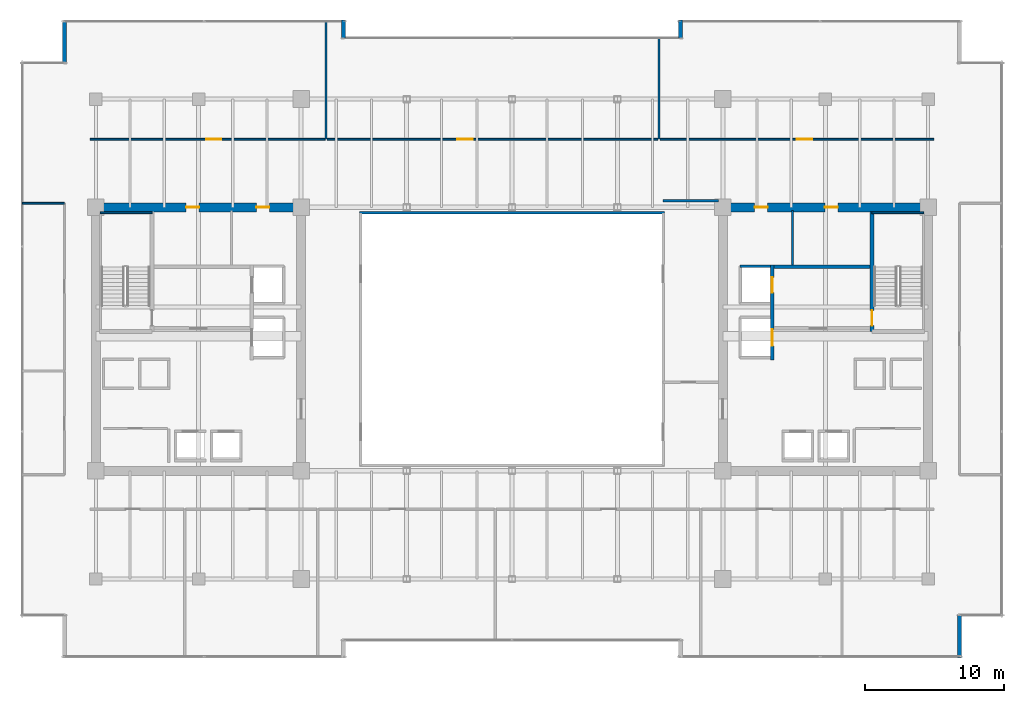
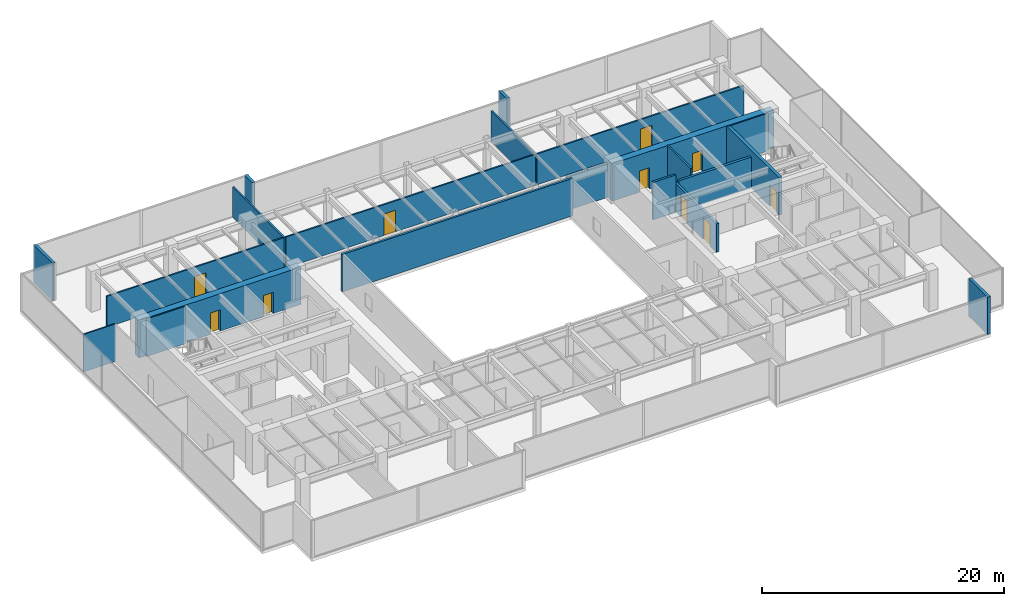
# One storey, part 27 of 30: 21 walls, 10 doors, 10 openings.
"""IFC4 building model written with IfcOpenShell, lengths in metres."""

from ifc_helpers import new_model, si_unit, direction, frame, frame_2d, origin, place, context, subcontext, project, spatial, rectangle, extrude, source, transform, mapped, material, layer, layer_set, type_object, type_shapes, element, fill, save


model = new_model("IFC4")

# Units and contexts
model_context = context("Model", 3, precision=1e-05, world=origin(), true_north=direction((0.0, 1.0)))
body_context = subcontext(model_context, "Body", "Model", "MODEL_VIEW")
ifc_project = project(units=[si_unit("LENGTHUNIT", "METRE"), si_unit("AREAUNIT", "SQUARE_METRE"), si_unit("VOLUMEUNIT", "CUBIC_METRE"), si_unit("PLANEANGLEUNIT", "RADIAN"), si_unit("MASSUNIT", "GRAM", prefix="KILO")], contexts=[model_context])

# Site, building, storey
site_placement = place(None, origin())
site = spatial("IfcSite", under=ifc_project, at=site_placement, CompositionType="ELEMENT")
building_placement = place(site_placement, origin())
building = spatial("IfcBuilding", under=site, at=building_placement, Name="Haelvirn Gate Laboratories", CompositionType="ELEMENT")
storey_placement = place(building_placement, frame((0.0, 0.0, 129.699951171875)))
storey = spatial("IfcBuildingStorey", under=building, at=storey_placement, Name="L31", CompositionType="ELEMENT", Elevation=129.699951171875)

# Walls
ifc_material_1 = material(Name="Thermally-broken bronze aluminium rainscreen & mineral wool", Category="aluminium")
ifc_layer_1 = layer(ifc_material_1, 0.280029296875, Name="EW-TERR-280")
ifc_layer_set_1 = layer_set([ifc_layer_1], Name="Thermally-broken bronze aluminium rainscreen & mineral wool")
wall_type_1 = type_object("IfcWallType", Name="EW-TERR-280", PredefinedType="STANDARD", material=ifc_layer_set_1)
wall_1_placement = place(storey_placement, frame((69.659912109375, 1.300048828125, 0.0), z_axis=(0.0, 0.0, 1.0), x_axis=(0.0, 1.0, 0.0)))
element("IfcWall", 1, at=wall_1_placement, inside=storey, type_object=wall_type_1, Name="L31 Atrium Recess Bronze Return Wall 05", PredefinedType="STANDARD", context=body_context, shape_type="SweptSolid", body=[
    extrude(rectangle(XDim=3.087890625, YDim=0.280029296875, at=frame_2d((1.5439453125, 0.0))), origin(), (0.0, 0.0, 1.0), 3.7900390625),
])
for number, where, z_axis, x_axis, name in (
    (2, (49.5400390625, 47.300048828125, 0.0), (0.0, 0.0, 1.0), (0.0, -1.0, 0.0), "L31 Atrium Recess Bronze Return Wall 11"),
    (3, (25.260009765625, 46.011962890625, 0.0), (0.0, 0.0, 1.0), (0.0, 1.0, 0.0), "L31 Atrium Recess Bronze Return Wall 13"),
):
    element("IfcWall", number, at=place(storey_placement, frame(where, z_axis=z_axis, x_axis=x_axis)), inside=storey, type_object=wall_type_1, Name=name, PredefinedType="STANDARD", context=body_context, shape_type="SweptSolid", body=[
        extrude(rectangle(XDim=1.2880859375, YDim=0.280029296875, at=frame_2d((0.64404296875, 0.0))), origin(), (0.0, 0.0, 1.0), 3.7900390625),
    ])
wall_2_placement = place(storey_placement, frame((5.139892578125, 47.300048828125, 0.0), z_axis=(0.0, 0.0, 1.0), x_axis=(0.0, -1.0, 0.0)))
element("IfcWall", 4, at=wall_2_placement, inside=storey, type_object=wall_type_1, Name="L31 Atrium Recess Bronze Return Wall 15", PredefinedType="STANDARD", context=body_context, shape_type="SweptSolid", body=[
    extrude(rectangle(XDim=3.088134765625, YDim=0.280029296875, at=frame_2d((1.5439453125, 0.0))), origin(), (0.0, 0.0, 1.0), 3.7900390625),
])
ifc_material_2 = material(Name="Double-layer acoustic gypsum laboratory partition", Category="gypsum")
ifc_layer_2 = layer(ifc_material_2, 0.159912109375, Name="IW-ACOUST-160")
ifc_layer_set_2 = layer_set([ifc_layer_2], Name="Double-layer acoustic gypsum laboratory partition")
wall_type_2 = type_object("IfcWallType", Name="IW-ACOUST-160", PredefinedType="PARTITIONING", material=ifc_layer_set_2)
wall_3_placement = place(storey_placement, frame((24.0, 38.705078125, 0.0), z_axis=(0.0, 0.0, 1.0), x_axis=(0.0, 1.0, 0.0)))
element("IfcWall", 5, at=wall_3_placement, inside=storey, type_object=wall_type_2, Name="L31 Interior Wall IW-L31-NDIV-01", PredefinedType="PARTITIONING", context=body_context, shape_type="SweptSolid", body=[
    extrude(rectangle(XDim=8.48486328125, YDim=0.159912109375, at=frame_2d((4.242431640625, 0.0))), origin(), (0.0, 0.0, 1.0), 3.074951171875),
])
wall_4_placement = place(storey_placement, frame((48.0, 38.705078125, 0.0), z_axis=(0.0, 0.0, 1.0), x_axis=(0.0, 1.0, 0.0)))
element("IfcWall", 6, at=wall_4_placement, inside=storey, type_object=wall_type_2, Name="L31 Interior Wall IW-L31-NDIV-02", PredefinedType="PARTITIONING", context=body_context, shape_type="SweptSolid", body=[
    extrude(rectangle(XDim=7.284912109375, YDim=0.159912109375, at=frame_2d((3.642578125, 0.0))), origin(), (0.0, 0.0, 1.0), 3.074951171875),
])
ifc_material_3 = material(Name="Fire-rated acoustic gypsum board partition", Category="gypsum")
ifc_layer_3 = layer(ifc_material_3, 0.175048828125, Name="IW-ACOUST-180")
ifc_layer_set_3 = layer_set([ifc_layer_3], Name="Fire-rated acoustic gypsum board partition")
wall_type_3 = type_object("IfcWallType", Name="IW-ACOUST-180", PredefinedType="PARTITIONING", material=ifc_layer_set_3)
wall_5_placement = place(storey_placement, frame((48.300048828125, 34.260009765625, 0.0), z_axis=(0.0, 0.0, 1.0), x_axis=(1.0, 0.0, 0.0)))
element("IfcWall", 7, at=wall_5_placement, inside=storey, type_object=wall_type_3, Name="L31 Interior Wall IW-L31-ASEM-N", PredefinedType="PARTITIONING", context=body_context, shape_type="SweptSolid", body=[
    extrude(rectangle(XDim=3.974853515625, YDim=0.175048828125, at=frame_2d((1.9873046875, 0.0))), origin(), (0.0, 0.0, 1.0), 3.47509765625),
])
ifc_material_4 = material(Name="Tempered fire-rated borosilicate glass & anodised aluminium", Category="aluminium")
ifc_layer_4 = layer(ifc_material_4, 0.195068359375, Name="IW-GLAZ-200")
ifc_layer_set_4 = layer_set([ifc_layer_4], Name="Tempered fire-rated borosilicate glass & anodised aluminium")
wall_type_4 = type_object("IfcWallType", Name="IW-GLAZ-200", PredefinedType="SOLIDWALL", material=ifc_layer_set_4)
wall_6_placement = place(storey_placement, frame((26.39990234375, 33.39990234375, 0.0), z_axis=(0.0, 0.0, 1.0), x_axis=(1.0, 0.0, 0.0)))
element("IfcWall", 8, at=wall_6_placement, inside=storey, type_object=wall_type_4, Name="L31 Interior Wall IW-L31-ATRIUM-N", PredefinedType="SOLIDWALL", context=body_context, shape_type="SweptSolid", body=[
    extrude(rectangle(XDim=22.0, YDim=0.195068359375, at=frame_2d((11.0, 0.0))), origin(), (0.0, 0.0, 1.0), 3.7900390625),
])
ifc_material_5 = material(Name="Lightweight acoustic gypsum board partition", Category="gypsum")
ifc_layer_5 = layer(ifc_material_5, 0.1201171875, Name="IW-PART-120")
ifc_layer_set_5 = layer_set([ifc_layer_5], Name="Lightweight acoustic gypsum board partition")
wall_type_5 = type_object("IfcWallType", Name="IW-PART-120", PredefinedType="PARTITIONING", material=ifc_layer_set_5)
wall_7_placement = place(storey_placement, frame((2.110107421875, 34.0849609375, 0.0), z_axis=(0.0, 0.0, 1.0), x_axis=(1.0, 0.0, 0.0)))
element("IfcWall", 9, at=wall_7_placement, inside=storey, type_object=wall_type_5, Name="L31 Interior Wall IW-L31-WCAP-N", PredefinedType="PARTITIONING", context=body_context, shape_type="SweptSolid", body=[
    extrude(rectangle(XDim=3.019775390625, YDim=0.1201171875, at=frame_2d((1.509765625, 0.0))), origin(), (0.0, 0.0, 1.0), 3.7900390625),
])

# Wall, opening, door
ifc_material_6 = material(Name="Acoustic mineral-wool gypsum board partition", Category="gypsum")
ifc_layer_6 = layer(ifc_material_6, 0.139892578125, Name="IW-PART-140")
ifc_layer_set_6 = layer_set([ifc_layer_6], Name="Acoustic mineral-wool gypsum board partition")
wall_type_6 = type_object("IfcWallType", Name="IW-PART-140", PredefinedType="PARTITIONING", material=ifc_layer_set_6)
wall_8_placement = place(storey_placement, frame((6.97998046875, 38.705078125, 0.0), z_axis=(0.0, 0.0, 1.0), x_axis=(1.0, 0.0, 0.0)))
wall_8 = element("IfcWall", 10, at=wall_8_placement, inside=storey, type_object=wall_type_6, Name="L31 Interior Wall IW-L31-NCORR-01", PredefinedType="PARTITIONING", context=body_context, shape_type="SweptSolid", body=[
    extrude(rectangle(XDim=16.93994140625, YDim=0.139892578125, at=frame_2d((8.469970703125, 0.0))), origin(), (0.0, 0.0, 1.0), 3.125),
])
opening_1_placement = place(wall_8_placement, frame((8.374267578125, 0.0, 0.0)))
opening_1 = element("IfcOpeningElement", 11, at=opening_1_placement, cuts=wall_8, Name="Opening D1", PredefinedType="OPENING", context=body_context, shape_type="SweptSolid", body=[
    extrude(rectangle(XDim=1.10009765625, YDim=2.179931640625, at=frame_2d((0.550048828125, 1.08984375))), frame((0.0, 0.080078125, 0.0), z_axis=(0.0, -1.0, 0.0), x_axis=(1.0, 0.0, 0.0)), (0.0, 0.0, 1.0), 0.159912109375),
])
ifc_material_7 = material(Name="Vision-panel acoustic solid-core timber lab door", Category="wood")
door_type_1 = type_object("IfcDoorType", Name="DR-LAB-1100", OperationType="NOTDEFINED", PredefinedType="DOOR", material=ifc_material_7)
shared_shape_1 = source(origin(), body_context, "Body", "SweptSolid", [
    extrude(rectangle(XDim=1.10009765625, YDim=2.179931640625, at=frame_2d((0.550048828125, 1.08984375))), frame((0.0, 0.02490234375, 0.0), z_axis=(0.0, -1.0, 0.0), x_axis=(1.0, 0.0, 0.0)), (0.0, 0.0, 1.0), 0.050048828125),
])
type_shapes(door_type_1, [shared_shape_1])
door_1_placement = place(opening_1_placement, origin())
door_1 = element("IfcDoor", 12, at=door_1_placement, inside=storey, type_object=door_type_1, Name="L31 Translational Data Office Door N1", OperationType="SINGLE_SWING_LEFT", OverallHeight=2.179931640625, OverallWidth=1.10009765625, PredefinedType="DOOR", context=body_context, shape_type="MappedRepresentation", body=[
    mapped(shared_shape_1, transform((0.0, 0.0, 0.0), scale=1.0)),
])
fill(opening_1, door_1)

wall_9_placement = place(storey_placement, frame((24.080078125, 38.705078125, 0.0), z_axis=(0.0, 0.0, 1.0), x_axis=(1.0, 0.0, 0.0)))
wall_9 = element("IfcWall", 13, at=wall_9_placement, inside=storey, type_object=wall_type_6, Name="L31 Interior Wall IW-L31-NCORR-02", PredefinedType="PARTITIONING", context=body_context, shape_type="SweptSolid", body=[
    extrude(rectangle(XDim=23.83984375, YDim=0.139892578125, at=frame_2d((11.919921875, 0.0))), origin(), (0.0, 0.0, 1.0), 3.125),
])
opening_2_placement = place(wall_9_placement, frame((9.386474609375, 0.0, 0.0)))
opening_2 = element("IfcOpeningElement", 14, at=opening_2_placement, cuts=wall_9, Name="Opening D1", PredefinedType="OPENING", context=body_context, shape_type="SweptSolid", body=[
    extrude(rectangle(XDim=1.10009765625, YDim=2.179931640625, at=frame_2d((0.550048828125, 1.08984375))), frame((0.0, 0.080078125, 0.0), z_axis=(0.0, -1.0, 0.0), x_axis=(1.0, 0.0, 0.0)), (0.0, 0.0, 1.0), 0.159912109375),
])
door_2_placement = place(opening_2_placement, origin())
door_2 = element("IfcDoor", 15, at=door_2_placement, inside=storey, type_object=door_type_1, Name="L31 Computational Write-Up Office Door N2", OperationType="SINGLE_SWING_RIGHT", OverallHeight=2.179931640625, OverallWidth=1.10009765625, PredefinedType="DOOR", context=body_context, shape_type="MappedRepresentation", body=[
    mapped(shared_shape_1, transform((0.0, 0.0, 0.0), scale=1.0)),
])
fill(opening_2, door_2)

wall_10_placement = place(storey_placement, frame((48.080078125, 38.705078125, 0.0), z_axis=(0.0, 0.0, 1.0), x_axis=(1.0, 0.0, 0.0)))
wall_10 = element("IfcWall", 16, at=wall_10_placement, inside=storey, type_object=wall_type_6, Name="L31 Interior Wall IW-L31-NCORR-03", PredefinedType="PARTITIONING", context=body_context, shape_type="SweptSolid", body=[
    extrude(rectangle(XDim=19.739990234375, YDim=0.139892578125, at=frame_2d((9.8701171875, 0.0))), origin(), (0.0, 0.0, 1.0), 3.125),
])
opening_3_placement = place(wall_10_placement, frame((9.858154296875, 0.0, 0.0)))
opening_3 = element("IfcOpeningElement", 17, at=opening_3_placement, cuts=wall_10, Name="Opening D1", PredefinedType="OPENING", context=body_context, shape_type="SweptSolid", body=[
    extrude(rectangle(XDim=1.10009765625, YDim=2.179931640625, at=frame_2d((0.550048828125, 1.08984375))), frame((0.0, 0.080078125, 0.0), z_axis=(0.0, -1.0, 0.0), x_axis=(1.0, 0.0, 0.0)), (0.0, 0.0, 1.0), 0.159912109375),
])
door_3_placement = place(opening_3_placement, origin())
door_3 = element("IfcDoor", 18, at=door_3_placement, inside=storey, type_object=door_type_1, Name="L31 Researcher Break Pantry Door N3", OperationType="SINGLE_SWING_LEFT", OverallHeight=2.179931640625, OverallWidth=1.10009765625, PredefinedType="DOOR", context=body_context, shape_type="MappedRepresentation", body=[
    mapped(shared_shape_1, transform((0.0, 0.0, 0.0), scale=1.0)),
])
fill(opening_3, door_3)

# Walls
ifc_material_8 = material(Name="Cement-board restroom plumbing chase wall", Category="gypsum")
ifc_layer_7 = layer(ifc_material_8, 0.155029296875, Name="IW-PLUMB-160")
ifc_layer_set_7 = layer_set([ifc_layer_7], Name="Cement-board restroom plumbing chase wall")
wall_type_7 = type_object("IfcWallType", Name="IW-PLUMB-160", PredefinedType="PLUMBINGWALL", material=ifc_layer_set_7)
wall_11_placement = place(storey_placement, frame((57.610107421875, 29.64990234375, 0.0), z_axis=(0.0, 0.0, 1.0), x_axis=(0.0, 1.0, 0.0)))
element("IfcWall", 19, at=wall_11_placement, inside=storey, type_object=wall_type_7, Name="L31 Interior Wall IW-L31-E-CDIV-1", PredefinedType="PLUMBINGWALL", context=body_context, shape_type="SweptSolid", body=[
    extrude(rectangle(XDim=3.93017578125, YDim=0.155029296875, at=frame_2d((1.965087890625, 0.0))), origin(), (0.0, 0.0, 1.0), 3.7900390625),
])
ifc_material_9 = material(Name="Concrete C40/50", Category="concrete")
ifc_layer_8 = layer(ifc_material_9, 0.199951171875, Name="IW-SHAFT-200")
ifc_layer_set_8 = layer_set([ifc_layer_8], Name="Concrete C40/50")
wall_type_8 = type_object("IfcWallType", Name="IW-SHAFT-200", PredefinedType="SOLIDWALL", material=ifc_layer_set_8)
wall_12_placement = place(storey_placement, frame((53.85009765625, 29.550048828125, 0.0), z_axis=(0.0, 0.0, 1.0), x_axis=(1.0, 0.0, 0.0)))
element("IfcWall", 20, at=wall_12_placement, inside=storey, type_object=wall_type_8, Name="L31 Interior Wall IW-L31-FL2-N", PredefinedType="SOLIDWALL", context=body_context, shape_type="SweptSolid", body=[
    extrude(rectangle(XDim=2.18994140625, YDim=0.199951171875, at=frame_2d((1.094970703125, 0.0))), origin(), (0.0, 0.0, 1.0), 3.7900390625),
])
ifc_layer_9 = layer(ifc_material_9, 0.239990234375, Name="IW-SHAFT-240")
ifc_layer_set_9 = layer_set([ifc_layer_9], Name="Concrete C40/50")
wall_type_9 = type_object("IfcWallType", Name="IW-SHAFT-240", PredefinedType="SOLIDWALL", material=ifc_layer_set_9)
wall_13_placement = place(storey_placement, frame((56.280029296875, 29.52001953125, 0.0), z_axis=(0.0, 0.0, 1.0), x_axis=(1.0, 0.0, 0.0)))
element("IfcWall", 21, at=wall_13_placement, inside=storey, type_object=wall_type_9, Name="L31 Interior Wall IW-L31-E-FF-N", PredefinedType="SOLIDWALL", context=body_context, shape_type="SweptSolid", body=[
    extrude(rectangle(XDim=6.919921875, YDim=0.239990234375, at=frame_2d((3.4599609375, 0.0))), origin(), (0.0, 0.0, 1.0), 3.125),
])

# Wall, openings, doors
wall_14_placement = place(storey_placement, frame((56.159912109375, 22.800048828125, 0.0), z_axis=(0.0, 0.0, 1.0), x_axis=(0.0, 1.0, 0.0)))
wall_14 = element("IfcWall", 22, at=wall_14_placement, inside=storey, type_object=wall_type_9, Name="L31 Interior Wall IW-L31-E-FF-E", PredefinedType="SOLIDWALL", context=body_context, shape_type="SweptSolid", body=[
    extrude(rectangle(XDim=6.849853515625, YDim=0.239990234375, at=frame_2d((3.4248046875, 0.0))), origin(), (0.0, 0.0, 1.0), 2.875),
])
opening_4_placement = place(wall_14_placement, frame((4.85009765625, 0.0, 0.0)))
opening_4 = element("IfcOpeningElement", 23, at=opening_4_placement, cuts=wall_14, Name="Opening LD2", PredefinedType="OPENING", context=body_context, shape_type="SweptSolid", body=[
    extrude(rectangle(XDim=1.10009765625, YDim=2.219970703125, at=frame_2d((0.550048828125, 1.10986328125))), frame((0.0, 0.1298828125, 0.0), z_axis=(0.0, -1.0, 0.0), x_axis=(1.0, 0.0, 0.0)), (0.0, 0.0, 1.0), 0.260009765625),
])
opening_5_placement = place(wall_14_placement, frame((1.0, 0.0, 0.0)))
opening_5 = element("IfcOpeningElement", 24, at=opening_5_placement, cuts=wall_14, Name="Opening LD1", PredefinedType="OPENING", context=body_context, shape_type="SweptSolid", body=[
    extrude(rectangle(XDim=1.199951171875, YDim=2.219970703125, at=frame_2d((0.60009765625, 1.10986328125))), frame((0.0, 0.1298828125, 0.0), z_axis=(0.0, -1.0, 0.0), x_axis=(1.0, 0.0, 0.0)), (0.0, 0.0, 1.0), 0.260009765625),
])
ifc_material_10 = material(Name="Bronze stainless 316L sliding lift landing door")
door_type_2 = type_object("IfcDoorType", Name="DR-LD-1100", OperationType="NOTDEFINED", PredefinedType="USERDEFINED", material=ifc_material_10)
shared_shape_2 = source(origin(), body_context, "Body", "SweptSolid", [
    extrude(rectangle(XDim=1.10009765625, YDim=2.219970703125, at=frame_2d((0.550048828125, 1.10986328125))), frame((0.0, 0.02490234375, 0.0), z_axis=(0.0, -1.0, 0.0), x_axis=(1.0, 0.0, 0.0)), (0.0, 0.0, 1.0), 0.050048828125),
])
type_shapes(door_type_2, [shared_shape_2])
door_4_placement = place(opening_4_placement, origin())
door_4 = element("IfcDoor", 25, at=door_4_placement, inside=storey, type_object=door_type_2, Name="L31 Firefighting Lift FL2 Landing Door", ObjectType="LANDING_DOOR", OperationType="SLIDING_TO_RIGHT", OverallHeight=2.219970703125, OverallWidth=1.10009765625, PredefinedType="USERDEFINED", context=body_context, shape_type="MappedRepresentation", body=[
    mapped(shared_shape_2, transform((0.0, 0.0, 0.0), scale=1.0)),
])
fill(opening_4, door_4)
ifc_material_11 = material(Name="Stainless steel 316L sliding goods landing door", Category="steel")
door_type_3 = type_object("IfcDoorType", Name="DR-LD-1200", OperationType="NOTDEFINED", PredefinedType="USERDEFINED", material=ifc_material_11)
shared_shape_3 = source(origin(), body_context, "Body", "SweptSolid", [
    extrude(rectangle(XDim=1.199951171875, YDim=2.219970703125, at=frame_2d((0.60009765625, 1.10986328125))), frame((0.0, 0.02490234375, 0.0), z_axis=(0.0, -1.0, 0.0), x_axis=(1.0, 0.0, 0.0)), (0.0, 0.0, 1.0), 0.050048828125),
])
type_shapes(door_type_3, [shared_shape_3])
door_5_placement = place(opening_5_placement, origin())
door_5 = element("IfcDoor", 26, at=door_5_placement, inside=storey, type_object=door_type_3, Name="L31 Service Lift SL2 Landing Door", ObjectType="LANDING_DOOR", OperationType="SLIDING_TO_LEFT", OverallHeight=2.219970703125, OverallWidth=1.199951171875, PredefinedType="USERDEFINED", context=body_context, shape_type="MappedRepresentation", body=[
    mapped(shared_shape_3, transform((0.0, 0.0, 0.0), scale=1.0)),
])
fill(opening_5, door_5)

ifc_material_12 = material(Name="Concrete C60/75", Category="concrete")
ifc_layer_10 = layer(ifc_material_12, 0.64990234375, Name="SW-CORE-650")
ifc_layer_set_10 = layer_set([ifc_layer_10], Name="Concrete C60/75")
wall_type_10 = type_object("IfcWallType", Name="SW-CORE-650", PredefinedType="SHEAR", material=ifc_layer_set_10)
wall_15_placement = place(storey_placement, frame((7.074951171875, 33.800048828125, 0.0), z_axis=(0.0, 0.0, 1.0), x_axis=(1.0, 0.0, 0.0)))
wall_15 = element("IfcWall", 27, at=wall_15_placement, inside=storey, type_object=wall_type_10, Name="L31 W Core Shear Wall N", PredefinedType="SHEAR", context=body_context, shape_type="SweptSolid", body=[
    extrude(rectangle(XDim=15.449951171875, YDim=0.64990234375, at=frame_2d((7.72509765625, 0.0))), origin(), (0.0, 0.0, 1.0), 3.7900390625),
])
opening_6_placement = place(wall_15_placement, frame((6.824951171875, 0.0, 0.0)))
opening_6 = element("IfcOpeningElement", 28, at=opening_6_placement, cuts=wall_15, Name="Opening FD4", PredefinedType="OPENING", context=body_context, shape_type="SweptSolid", body=[
    extrude(rectangle(XDim=0.949951171875, YDim=2.14990234375, at=frame_2d((0.47509765625, 1.074951171875))), frame((0.0, 0.3349609375, 0.0), z_axis=(0.0, -1.0, 0.0), x_axis=(1.0, 0.0, 0.0)), (0.0, 0.0, 1.0), 0.669921875),
])
opening_7_placement = place(wall_15_placement, frame((11.889892578125, 0.0, 0.0)))
opening_7 = element("IfcOpeningElement", 29, at=opening_7_placement, cuts=wall_15, Name="Opening FD4", PredefinedType="OPENING", context=body_context, shape_type="SweptSolid", body=[
    extrude(rectangle(XDim=0.949951171875, YDim=2.14990234375, at=frame_2d((0.47509765625, 1.074951171875))), frame((0.0, 0.3349609375, 0.0), z_axis=(0.0, -1.0, 0.0), x_axis=(1.0, 0.0, 0.0)), (0.0, 0.0, 1.0), 0.669921875),
])
ifc_material_13 = material(Name="Fire-rated steel SM355 core service door", Category="steel")
door_type_4 = type_object("IfcDoorType", Name="DR-FD-950", OperationType="NOTDEFINED", PredefinedType="DOOR", material=ifc_material_13)
shared_shape_4 = source(origin(), body_context, "Body", "SweptSolid", [
    extrude(rectangle(XDim=0.949951171875, YDim=2.14990234375, at=frame_2d((0.47509765625, 1.074951171875))), frame((0.0, 0.02490234375, 0.0), z_axis=(0.0, -1.0, 0.0), x_axis=(1.0, 0.0, 0.0)), (0.0, 0.0, 1.0), 0.050048828125),
])
type_shapes(door_type_4, [shared_shape_4])
door_6_placement = place(opening_6_placement, origin())
door_6 = element("IfcDoor", 30, at=door_6_placement, inside=storey, type_object=door_type_4, Name="L31 All-Gender Multi-Stall Restroom Fire Door", OperationType="SINGLE_SWING_RIGHT", OverallHeight=2.14990234375, OverallWidth=0.949951171875, PredefinedType="DOOR", context=body_context, shape_type="MappedRepresentation", body=[
    mapped(shared_shape_4, transform((0.0, 0.0, 0.0), scale=1.0)),
])
fill(opening_6, door_6)
door_7_placement = place(opening_7_placement, origin())
door_7 = element("IfcDoor", 31, at=door_7_placement, inside=storey, type_object=door_type_4, Name="L31 Accessible Restroom Fire Door", OperationType="SINGLE_SWING_LEFT", OverallHeight=2.14990234375, OverallWidth=0.949951171875, PredefinedType="DOOR", context=body_context, shape_type="MappedRepresentation", body=[
    mapped(shared_shape_4, transform((0.0, 0.0, 0.0), scale=1.0)),
])
fill(opening_7, door_7)

wall_16_placement = place(storey_placement, frame((52.27490234375, 33.800048828125, 0.0), z_axis=(0.0, 0.0, 1.0), x_axis=(1.0, 0.0, 0.0)))
wall_16 = element("IfcWall", 32, at=wall_16_placement, inside=storey, type_object=wall_type_10, Name="L31 E Core Shear Wall N", PredefinedType="SHEAR", context=body_context, shape_type="SweptSolid", body=[
    extrude(rectangle(XDim=15.4501953125, YDim=0.64990234375, at=frame_2d((7.72509765625, 0.0))), origin(), (0.0, 0.0, 1.0), 3.7900390625),
])
opening_8_placement = place(wall_16_placement, frame((7.675048828125, 0.0, 0.0)))
opening_8 = element("IfcOpeningElement", 33, at=opening_8_placement, cuts=wall_16, Name="Opening FD4", PredefinedType="OPENING", context=body_context, shape_type="SweptSolid", body=[
    extrude(rectangle(XDim=0.949951171875, YDim=2.14990234375, at=frame_2d((0.47509765625, 1.074951171875))), frame((0.0, 0.3349609375, 0.0), z_axis=(0.0, -1.0, 0.0), x_axis=(1.0, 0.0, 0.0)), (0.0, 0.0, 1.0), 0.669921875),
])
opening_9_placement = place(wall_16_placement, frame((2.610107421875, 0.0, 0.0)))
opening_9 = element("IfcOpeningElement", 34, at=opening_9_placement, cuts=wall_16, Name="Opening FD4", PredefinedType="OPENING", context=body_context, shape_type="SweptSolid", body=[
    extrude(rectangle(XDim=0.949951171875, YDim=2.14990234375, at=frame_2d((0.47509765625, 1.074951171875))), frame((0.0, 0.3349609375, 0.0), z_axis=(0.0, -1.0, 0.0), x_axis=(1.0, 0.0, 0.0)), (0.0, 0.0, 1.0), 0.669921875),
])
door_8_placement = place(opening_8_placement, origin())
door_8 = element("IfcDoor", 35, at=door_8_placement, inside=storey, type_object=door_type_4, Name="L31 All-Gender Multi-Stall Restroom Fire Door", OperationType="SINGLE_SWING_RIGHT", OverallHeight=2.14990234375, OverallWidth=0.949951171875, PredefinedType="DOOR", context=body_context, shape_type="MappedRepresentation", body=[
    mapped(shared_shape_4, transform((0.0, 0.0, 0.0), scale=1.0)),
])
fill(opening_8, door_8)
door_9_placement = place(opening_9_placement, origin())
door_9 = element("IfcDoor", 36, at=door_9_placement, inside=storey, type_object=door_type_4, Name="L31 Accessible Restroom Fire Door", OperationType="SINGLE_SWING_LEFT", OverallHeight=2.14990234375, OverallWidth=0.949951171875, PredefinedType="DOOR", context=body_context, shape_type="MappedRepresentation", body=[
    mapped(shared_shape_4, transform((0.0, 0.0, 0.0), scale=1.0)),
])
fill(opening_9, door_9)

# Walls
ifc_material_14 = material(Name="Concrete C50/60", Category="concrete")
ifc_layer_11 = layer(ifc_material_14, 0.1201171875, Name="SW-LINER-120")
ifc_layer_set_11 = layer_set([ifc_layer_11], Name="Concrete C50/60")
wall_type_11 = type_object("IfcWallType", Name="SW-LINER-120", PredefinedType="SOLIDWALL", material=ifc_layer_set_11)
for number, where, z_axis, x_axis, name in (
    (37, (7.72998046875, 33.39990234375, 0.0), (0.0, 0.0, 1.0), (1.0, 0.0, 0.0), "L31 W Core Stair Shaft Liner Wall N"),
    (38, (63.35009765625, 33.39990234375, 0.0), (0.0, 0.0, 1.0), (1.0, 0.0, 0.0), "L31 E Core Stair Shaft Liner Wall N"),
):
    element("IfcWall", number, at=place(storey_placement, frame(where, z_axis=z_axis, x_axis=x_axis)), inside=storey, type_object=wall_type_11, Name=name, PredefinedType="SOLIDWALL", context=body_context, shape_type="SweptSolid", body=[
        extrude(rectangle(XDim=3.719970703125, YDim=0.1201171875, at=frame_2d((1.85986328125, 0.0))), origin(), (0.0, 0.0, 1.0), 3.7900390625),
    ])

# Wall, opening, door
ifc_layer_12 = layer(ifc_material_14, 0.300048828125, Name="SW-STAIR-300")
ifc_layer_set_12 = layer_set([ifc_layer_12], Name="Concrete C50/60")
wall_type_12 = type_object("IfcWallType", Name="SW-STAIR-300", PredefinedType="SHEAR", material=ifc_layer_set_12)
wall_17_placement = place(storey_placement, frame((63.35009765625, 24.85009765625, 0.0), z_axis=(0.0, 0.0, 1.0), x_axis=(0.0, 1.0, 0.0)))
wall_17 = element("IfcWall", 39, at=wall_17_placement, inside=storey, type_object=wall_type_12, Name="L31 E Core Stair Shaft Structural Wall IN", PredefinedType="SHEAR", context=body_context, shape_type="SweptSolid", body=[
    extrude(rectangle(XDim=8.6298828125, YDim=0.300048828125, at=frame_2d((4.31494140625, 0.0))), origin(), (0.0, 0.0, 1.0), 3.7900390625),
])
opening_10_placement = place(wall_17_placement, frame((0.419921875, 0.0, 0.0)))
opening_10 = element("IfcOpeningElement", 40, at=opening_10_placement, cuts=wall_17, Name="Opening FD3", PredefinedType="OPENING", context=body_context, shape_type="SweptSolid", body=[
    extrude(rectangle(XDim=1.10009765625, YDim=2.14990234375, at=frame_2d((0.550048828125, 1.074951171875))), frame((0.0, 0.16015625, 0.0), z_axis=(0.0, -1.0, 0.0), x_axis=(1.0, 0.0, 0.0)), (0.0, 0.0, 1.0), 0.320068359375),
])
ifc_material_15 = material(Name="Fire-rated steel SM355 escape stair door", Category="steel")
door_type_5 = type_object("IfcDoorType", Name="DR-FD-1100", OperationType="NOTDEFINED", PredefinedType="DOOR", material=ifc_material_15)
shared_shape_5 = source(origin(), body_context, "Body", "SweptSolid", [
    extrude(rectangle(XDim=1.10009765625, YDim=2.14990234375, at=frame_2d((0.550048828125, 1.074951171875))), frame((0.0, 0.02490234375, 0.0), z_axis=(0.0, -1.0, 0.0), x_axis=(1.0, 0.0, 0.0)), (0.0, 0.0, 1.0), 0.050048828125),
])
type_shapes(door_type_5, [shared_shape_5])
door_10_placement = place(opening_10_placement, origin())
door_10 = element("IfcDoor", 41, at=door_10_placement, inside=storey, type_object=door_type_5, Name="L31 Escape Stair ST2 Fire Door", OperationType="SINGLE_SWING_RIGHT", OverallHeight=2.14990234375, OverallWidth=1.10009765625, PredefinedType="DOOR", context=body_context, shape_type="MappedRepresentation", body=[
    mapped(shared_shape_5, transform((0.0, 0.0, 0.0), scale=1.0)),
])
fill(opening_10, door_10)

save(model, "model.ifc")
